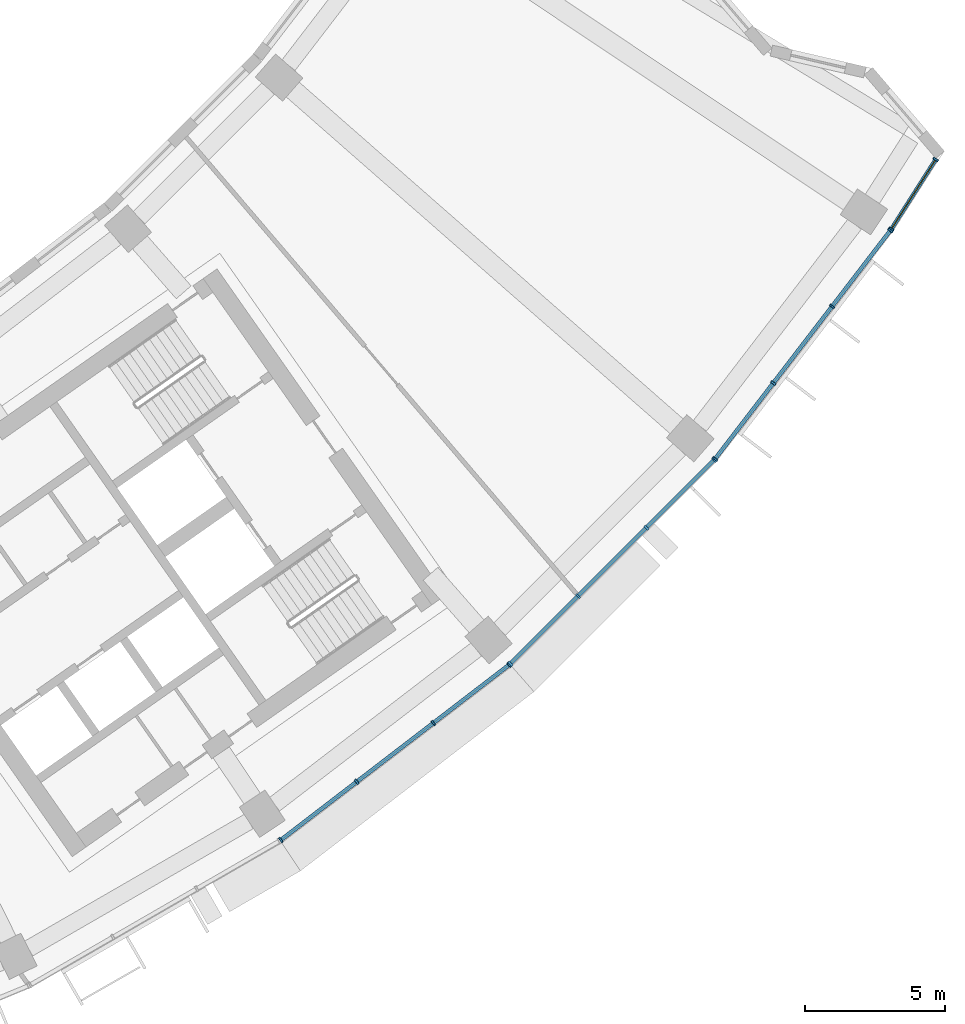
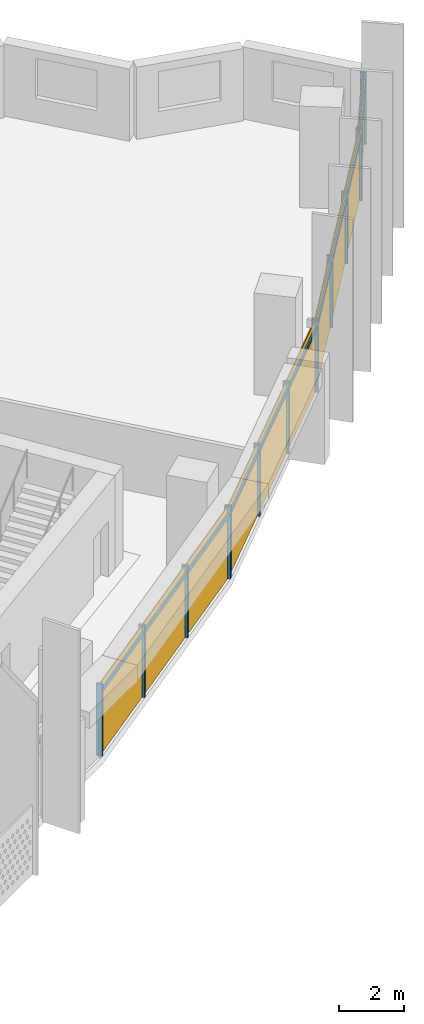
# One storey, part 22 of 27: 24 members, 4 curtain walls.
"""IFC4 building model written with IfcOpenShell, lengths in metres."""

from ifc_helpers import new_model, si_unit, direction, frame, origin, origin_2d, place, context, subcontext, project, spatial, rectangle, extrude, material, material_profile, profile_set, type_object, element, aggregate, save


model = new_model("IFC4")

# Units and contexts
model_context = context("Model", 3, precision=1e-05, world=origin(), true_north=direction((0.0, 1.0)))
body_context = subcontext(model_context, "Body", "Model", "MODEL_VIEW")
ifc_project = project(units=[si_unit("LENGTHUNIT", "METRE"), si_unit("AREAUNIT", "SQUARE_METRE"), si_unit("VOLUMEUNIT", "CUBIC_METRE"), si_unit("PLANEANGLEUNIT", "RADIAN"), si_unit("MASSUNIT", "GRAM", prefix="KILO")], contexts=[model_context])

# Member
ifc_material = material(Name="Aluminium 6063-T6 anodised", Category="aluminium")
ifc_material_profile_1 = material_profile(ifc_material, rectangle(XDim=0.199951171875, YDim=0.070068359375, at=origin_2d()))
ifc_profile_set_1 = profile_set([ifc_material_profile_1], Name="Aluminium 6063-T6 anodised")
member_type_1 = type_object("IfcMemberType", Name="Mullion 70 x 200 aluminium", PredefinedType="MULLION", material=ifc_profile_set_1)
site_placement = place(None, origin())
building_placement = place(site_placement, origin())
storey_placement = place(building_placement, frame((0.0, 0.0, 187.300048828125)))
member_1_placement = place(storey_placement, frame((43.85693359375, -65.58544921875, 0.0), z_axis=(0.0, 0.0, 1.0), x_axis=(-0.608761429009, 0.793353340291, 0.0)))
member_1 = element("IfcMember", 1, at=member_1_placement, type_object=member_type_1, Name="e-cw1-L44-out12/M00", PredefinedType="MULLION", context=body_context, shape_type="SweptSolid", body=[
    extrude(rectangle(XDim=0.199951171875, YDim=0.070068359375, at=origin_2d()), origin(), (0.0, 0.0, 1.0), 2.699951171875),
])

member_2_placement = place(storey_placement, frame((46.56201171875, -63.509765625, 0.0), z_axis=(0.0, 0.0, 1.0), x_axis=(-0.608761429009, 0.793353340291, 0.0)))
member_2 = element("IfcMember", 2, at=member_2_placement, type_object=member_type_1, Name="e-cw1-L44-out12/M01", PredefinedType="MULLION", context=body_context, shape_type="SweptSolid", body=[
    extrude(rectangle(XDim=0.199951171875, YDim=0.070068359375, at=origin_2d()), origin(), (0.0, 0.0, 1.0), 2.699951171875),
])

member_3_placement = place(storey_placement, frame((49.294677734375, -61.412841796875, 0.0), z_axis=(0.0, 0.0, 1.0), x_axis=(-0.608761429009, 0.793353340291, 0.0)))
member_3 = element("IfcMember", 3, at=member_3_placement, type_object=member_type_1, Name="e-cw1-L44-out12/M02", PredefinedType="MULLION", context=body_context, shape_type="SweptSolid", body=[
    extrude(rectangle(XDim=0.199951171875, YDim=0.070068359375, at=origin_2d()), origin(), (0.0, 0.0, 1.0), 2.699951171875),
])

member_4_placement = place(storey_placement, frame((51.999755859375, -59.33740234375, 0.0), z_axis=(0.0, 0.0, 1.0), x_axis=(-0.608761429009, 0.793353340291, 0.0)))
member_4 = element("IfcMember", 4, at=member_4_placement, type_object=member_type_1, Name="e-cw1-L44-out12/M03", PredefinedType="MULLION", context=body_context, shape_type="SweptSolid", body=[
    extrude(rectangle(XDim=0.199951171875, YDim=0.070068359375, at=origin_2d()), origin(), (0.0, 0.0, 1.0), 2.699951171875),
])

member_5_placement = place(storey_placement, frame((52.042236328125, -59.2998046875, 0.0), z_axis=(0.0, 0.0, 1.0), x_axis=(-0.707106781187, 0.707106781187, 0.0)))
member_5 = element("IfcMember", 5, at=member_5_placement, type_object=member_type_1, Name="e-cw1-L44-out13/M00", PredefinedType="MULLION", context=body_context, shape_type="SweptSolid", body=[
    extrude(rectangle(XDim=0.199951171875, YDim=0.070068359375, at=origin_2d()), origin(), (0.0, 0.0, 1.0), 2.699951171875),
])

member_6_placement = place(storey_placement, frame((54.453369140625, -56.888916015625, 0.0), z_axis=(0.0, 0.0, 1.0), x_axis=(-0.707106781187, 0.707106781187, 0.0)))
member_6 = element("IfcMember", 6, at=member_6_placement, type_object=member_type_1, Name="e-cw1-L44-out13/M01", PredefinedType="MULLION", context=body_context, shape_type="SweptSolid", body=[
    extrude(rectangle(XDim=0.199951171875, YDim=0.070068359375, at=origin_2d()), origin(), (0.0, 0.0, 1.0), 2.699951171875),
])

member_7_placement = place(storey_placement, frame((56.888916015625, -54.453369140625, 0.0), z_axis=(0.0, 0.0, 1.0), x_axis=(-0.707106781187, 0.707106781187, 0.0)))
member_7 = element("IfcMember", 7, at=member_7_placement, type_object=member_type_1, Name="e-cw1-L44-out13/M02", PredefinedType="MULLION", context=body_context, shape_type="SweptSolid", body=[
    extrude(rectangle(XDim=0.199951171875, YDim=0.070068359375, at=origin_2d()), origin(), (0.0, 0.0, 1.0), 2.699951171875),
])

member_8_placement = place(storey_placement, frame((59.2998046875, -52.042236328125, 0.0), z_axis=(0.0, 0.0, 1.0), x_axis=(-0.707106781187, 0.707106781187, 0.0)))
member_8 = element("IfcMember", 8, at=member_8_placement, type_object=member_type_1, Name="e-cw1-L44-out13/M03", PredefinedType="MULLION", context=body_context, shape_type="SweptSolid", body=[
    extrude(rectangle(XDim=0.199951171875, YDim=0.070068359375, at=origin_2d()), origin(), (0.0, 0.0, 1.0), 2.699951171875),
])

member_9_placement = place(storey_placement, frame((59.33740234375, -51.999755859375, 0.0), z_axis=(0.0, 0.0, 1.0), x_axis=(-0.793353340291, 0.608761429009, 0.0)))
member_9 = element("IfcMember", 9, at=member_9_placement, type_object=member_type_1, Name="e-cw1-L44-out14/M00", PredefinedType="MULLION", context=body_context, shape_type="SweptSolid", body=[
    extrude(rectangle(XDim=0.199951171875, YDim=0.070068359375, at=origin_2d()), origin(), (0.0, 0.0, 1.0), 2.699951171875),
])

member_10_placement = place(storey_placement, frame((61.412841796875, -49.294677734375, 0.0), z_axis=(0.0, 0.0, 1.0), x_axis=(-0.793353340291, 0.608761429009, 0.0)))
member_10 = element("IfcMember", 10, at=member_10_placement, type_object=member_type_1, Name="e-cw1-L44-out14/M01", PredefinedType="MULLION", context=body_context, shape_type="SweptSolid", body=[
    extrude(rectangle(XDim=0.199951171875, YDim=0.070068359375, at=origin_2d()), origin(), (0.0, 0.0, 1.0), 2.699951171875),
])

member_11_placement = place(storey_placement, frame((63.509765625, -46.56201171875, 0.0), z_axis=(0.0, 0.0, 1.0), x_axis=(-0.793353340291, 0.608761429009, 0.0)))
member_11 = element("IfcMember", 11, at=member_11_placement, type_object=member_type_1, Name="e-cw1-L44-out14/M02", PredefinedType="MULLION", context=body_context, shape_type="SweptSolid", body=[
    extrude(rectangle(XDim=0.199951171875, YDim=0.070068359375, at=origin_2d()), origin(), (0.0, 0.0, 1.0), 2.699951171875),
])

member_12_placement = place(storey_placement, frame((65.58544921875, -43.85693359375, 0.0), z_axis=(0.0, 0.0, 1.0), x_axis=(-0.793353340291, 0.608761429009, 0.0)))
member_12 = element("IfcMember", 12, at=member_12_placement, type_object=member_type_1, Name="e-cw1-L44-out14/M03", PredefinedType="MULLION", context=body_context, shape_type="SweptSolid", body=[
    extrude(rectangle(XDim=0.199951171875, YDim=0.070068359375, at=origin_2d()), origin(), (0.0, 0.0, 1.0), 2.699951171875),
])

member_13_placement = place(storey_placement, frame((65.62060546875, -43.806884765625, 0.0), z_axis=(0.0, 0.0, 1.0), x_axis=(-0.843222031834, 0.537565442555, 0.0)))
member_13 = element("IfcMember", 13, at=member_13_placement, type_object=member_type_1, Name="e-cw1-L44-out15/M00", PredefinedType="MULLION", context=body_context, shape_type="SweptSolid", body=[
    extrude(rectangle(XDim=0.199951171875, YDim=0.070068359375, at=origin_2d()), origin(), (0.0, 0.0, 1.0), 2.699951171875),
])

member_14_placement = place(storey_placement, frame((67.2021484375, -41.326171875, 0.0), z_axis=(0.0, 0.0, 1.0), x_axis=(-0.843222031834, 0.537565442555, 0.0)))
member_14 = element("IfcMember", 14, at=member_14_placement, type_object=member_type_1, Name="e-cw1-L44-out15/M01", PredefinedType="MULLION", context=body_context, shape_type="SweptSolid", body=[
    extrude(rectangle(XDim=0.199951171875, YDim=0.070068359375, at=origin_2d()), origin(), (0.0, 0.0, 1.0), 2.699951171875),
])

ifc_material_profile_2 = material_profile(ifc_material, rectangle(XDim=0.139892578125, YDim=0.1201171875, at=origin_2d()))
ifc_profile_set_2 = profile_set([ifc_material_profile_2], Name="Aluminium 6063-T6 anodised")
member_type_2 = type_object("IfcMemberType", Name="Transom 120 x 140 aluminium", PredefinedType="USERDEFINED", material=ifc_profile_set_2)
member_15_placement = place(storey_placement, frame((43.884765625, -65.564208984375, 2.39990234375), z_axis=(0.793354486861, 0.608759934767, 0.0), x_axis=(-0.608759934767, 0.793354486861, 0.0)))
member_15 = element("IfcMember", 15, at=member_15_placement, type_object=member_type_2, Name="e-cw1-L44-out12/T00", ObjectType="TRANSOM", PredefinedType="USERDEFINED", context=body_context, shape_type="SweptSolid", body=[
    extrude(rectangle(XDim=0.139892578125, YDim=0.1201171875, at=origin_2d()), origin(), (0.0, 0.0, 1.0), 3.339599609375),
])

member_16_placement = place(storey_placement, frame((46.589599609375, -63.488525390625, 2.39990234375), z_axis=(0.793371081522, 0.608738307489, 0.0), x_axis=(-0.608738307489, 0.793371081522, 0.0)))
member_16 = element("IfcMember", 16, at=member_16_placement, type_object=member_type_2, Name="e-cw1-L44-out12/T01", ObjectType="TRANSOM", PredefinedType="USERDEFINED", context=body_context, shape_type="SweptSolid", body=[
    extrude(rectangle(XDim=0.139892578125, YDim=0.1201171875, at=origin_2d()), origin(), (0.0, 0.0, 1.0), 3.37451171875),
])

member_17_placement = place(storey_placement, frame((49.322509765625, -61.3916015625, 2.39990234375), z_axis=(0.793354486861, 0.608759934767, 0.0), x_axis=(-0.608759934767, 0.793354486861, 0.0)))
member_17 = element("IfcMember", 17, at=member_17_placement, type_object=member_type_2, Name="e-cw1-L44-out12/T02", ObjectType="TRANSOM", PredefinedType="USERDEFINED", context=body_context, shape_type="SweptSolid", body=[
    extrude(rectangle(XDim=0.139892578125, YDim=0.1201171875, at=origin_2d()), origin(), (0.0, 0.0, 1.0), 3.339599609375),
])

member_18_placement = place(storey_placement, frame((52.067138671875, -59.275146484375, 2.39990234375), z_axis=(0.707106781187, 0.707106781187, 0.0), x_axis=(-0.707106781187, 0.707106781187, 0.0)))
member_18 = element("IfcMember", 18, at=member_18_placement, type_object=member_type_2, Name="e-cw1-L44-out13/T00", ObjectType="TRANSOM", PredefinedType="USERDEFINED", context=body_context, shape_type="SweptSolid", body=[
    extrude(rectangle(XDim=0.139892578125, YDim=0.1201171875, at=origin_2d()), origin(), (0.0, 0.0, 1.0), 3.33935546875),
])

member_19_placement = place(storey_placement, frame((54.47802734375, -56.8642578125, 2.39990234375), z_axis=(0.707106781187, 0.707106781187, 0.0), x_axis=(-0.707106781187, 0.707106781187, 0.0)))
member_19 = element("IfcMember", 19, at=member_19_placement, type_object=member_type_2, Name="e-cw1-L44-out13/T01", ObjectType="TRANSOM", PredefinedType="USERDEFINED", context=body_context, shape_type="SweptSolid", body=[
    extrude(rectangle(XDim=0.139892578125, YDim=0.1201171875, at=origin_2d()), origin(), (0.0, 0.0, 1.0), 3.374755859375),
])

member_20_placement = place(storey_placement, frame((56.913818359375, -54.428466796875, 2.39990234375), z_axis=(0.707106781187, 0.707106781187, 0.0), x_axis=(-0.707106781187, 0.707106781187, 0.0)))
member_20 = element("IfcMember", 20, at=member_20_placement, type_object=member_type_2, Name="e-cw1-L44-out13/T02", ObjectType="TRANSOM", PredefinedType="USERDEFINED", context=body_context, shape_type="SweptSolid", body=[
    extrude(rectangle(XDim=0.139892578125, YDim=0.1201171875, at=origin_2d()), origin(), (0.0, 0.0, 1.0), 3.33935546875),
])

member_21_placement = place(storey_placement, frame((59.358642578125, -51.971923828125, 2.39990234375), z_axis=(0.608759934767, 0.793354486861, 0.0), x_axis=(-0.793354486861, 0.608759934767, 0.0)))
member_21 = element("IfcMember", 21, at=member_21_placement, type_object=member_type_2, Name="e-cw1-L44-out14/T00", ObjectType="TRANSOM", PredefinedType="USERDEFINED", context=body_context, shape_type="SweptSolid", body=[
    extrude(rectangle(XDim=0.139892578125, YDim=0.1201171875, at=origin_2d()), origin(), (0.0, 0.0, 1.0), 3.339599609375),
])

member_22_placement = place(storey_placement, frame((61.434326171875, -49.266845703125, 2.39990234375), z_axis=(0.608738307489, 0.793371081522, 0.0), x_axis=(-0.793371081522, 0.608738307489, 0.0)))
member_22 = element("IfcMember", 22, at=member_22_placement, type_object=member_type_2, Name="e-cw1-L44-out14/T01", ObjectType="TRANSOM", PredefinedType="USERDEFINED", context=body_context, shape_type="SweptSolid", body=[
    extrude(rectangle(XDim=0.139892578125, YDim=0.1201171875, at=origin_2d()), origin(), (0.0, 0.0, 1.0), 3.37451171875),
])

member_23_placement = place(storey_placement, frame((63.53125, -46.5341796875, 2.39990234375), z_axis=(0.608759934767, 0.793354486861, 0.0), x_axis=(-0.793354486861, 0.608759934767, 0.0)))
member_23 = element("IfcMember", 23, at=member_23_placement, type_object=member_type_2, Name="e-cw1-L44-out14/T02", ObjectType="TRANSOM", PredefinedType="USERDEFINED", context=body_context, shape_type="SweptSolid", body=[
    extrude(rectangle(XDim=0.139892578125, YDim=0.1201171875, at=origin_2d()), origin(), (0.0, 0.0, 1.0), 3.339599609375),
])

member_24_placement = place(storey_placement, frame((65.639404296875, -43.77734375, 2.39990234375), z_axis=(0.537557338762, 0.843227198057, 0.0), x_axis=(-0.843227198057, 0.537557338762, 0.0)))
member_24 = element("IfcMember", 24, at=member_24_placement, type_object=member_type_2, Name="e-cw1-L44-out15/T00", ObjectType="TRANSOM", PredefinedType="USERDEFINED", context=body_context, shape_type="SweptSolid", body=[
    extrude(rectangle(XDim=0.139892578125, YDim=0.1201171875, at=origin_2d()), origin(), (0.0, 0.0, 1.0), 2.8720703125),
])

# Site, building, storey
site = spatial("IfcSite", under=ifc_project, at=site_placement, CompositionType="ELEMENT")
building = spatial("IfcBuilding", under=site, at=building_placement, Name="Qamariyya Broadcast Tower", CompositionType="ELEMENT")
storey = spatial("IfcBuildingStorey", under=building, at=storey_placement, Name="L44", CompositionType="ELEMENT", Elevation=187.300048828125)

# Curtain wall
curtain_wall_type = type_object("IfcCurtainWallType", Name="Unitised curtain wall, anodised aluminium", PredefinedType="NOTDEFINED", material=ifc_material)
curtain_wall_1_placement = place(storey_placement, origin())
curtain_wall_1 = element("IfcCurtainWall", 25, at=curtain_wall_1_placement, inside=storey, type_object=curtain_wall_type, Name="e-cw1-L44-out12", PredefinedType="NOTDEFINED", context=body_context, shape_type="SweptSolid", body=[
    extrude(rectangle(XDim=3.339599609375, YDim=0.031982421875, at=origin_2d()), frame((45.20947265625, -64.547607421875, 0.0), x_axis=(0.793351517557, 0.608763804434, 0.0)), (0.0, 0.0, 1.0), 2.340087890625),
    extrude(rectangle(XDim=3.339599609375, YDim=0.031982421875, at=origin_2d()), frame((45.20947265625, -64.547607421875, 2.4599609375), x_axis=(0.793351517557, 0.608763804434, 0.0)), (0.0, 0.0, 1.0), 0.239990234375),
    extrude(rectangle(XDim=3.37451171875, YDim=0.031982421875, at=origin_2d()), frame((47.92822265625, -62.46142578125, 0.0), x_axis=(0.793351517557, 0.608763804434, 0.0)), (0.0, 0.0, 1.0), 2.340087890625),
    extrude(rectangle(XDim=3.37451171875, YDim=0.031982421875, at=origin_2d()), frame((47.92822265625, -62.46142578125, 2.4599609375), x_axis=(0.793351517557, 0.608763804434, 0.0)), (0.0, 0.0, 1.0), 0.239990234375),
    extrude(rectangle(XDim=3.339599609375, YDim=0.031982421875, at=origin_2d()), frame((50.64697265625, -60.375, 0.0), x_axis=(0.793351517557, 0.608763804434, 0.0)), (0.0, 0.0, 1.0), 2.340087890625),
    extrude(rectangle(XDim=3.339599609375, YDim=0.031982421875, at=origin_2d()), frame((50.64697265625, -60.375, 2.4599609375), x_axis=(0.793351517557, 0.608763804434, 0.0)), (0.0, 0.0, 1.0), 0.239990234375),
])

aggregate(curtain_wall_1, [member_1, member_2, member_3, member_4, member_15, member_16, member_17])

curtain_wall_2_placement = place(storey_placement, origin())
curtain_wall_2 = element("IfcCurtainWall", 26, at=curtain_wall_2_placement, inside=storey, type_object=curtain_wall_type, Name="e-cw1-L44-out13", PredefinedType="NOTDEFINED", context=body_context, shape_type="SweptSolid", body=[
    extrude(rectangle(XDim=3.339599609375, YDim=0.031982421875, at=origin_2d()), frame((53.247802734375, -58.094482421875, 0.0), x_axis=(0.707106781187, 0.707106781187, 0.0)), (0.0, 0.0, 1.0), 2.340087890625),
    extrude(rectangle(XDim=3.339599609375, YDim=0.031982421875, at=origin_2d()), frame((53.247802734375, -58.094482421875, 2.4599609375), x_axis=(0.707106781187, 0.707106781187, 0.0)), (0.0, 0.0, 1.0), 0.239990234375),
    extrude(rectangle(XDim=3.37451171875, YDim=0.031982421875, at=origin_2d()), frame((55.671142578125, -55.671142578125, 0.0), x_axis=(0.707106781187, 0.707106781187, 0.0)), (0.0, 0.0, 1.0), 2.340087890625),
    extrude(rectangle(XDim=3.37451171875, YDim=0.031982421875, at=origin_2d()), frame((55.671142578125, -55.671142578125, 2.4599609375), x_axis=(0.707106781187, 0.707106781187, 0.0)), (0.0, 0.0, 1.0), 0.239990234375),
    extrude(rectangle(XDim=3.339599609375, YDim=0.031982421875, at=origin_2d()), frame((58.094482421875, -53.247802734375, 0.0), x_axis=(0.707106781187, 0.707106781187, 0.0)), (0.0, 0.0, 1.0), 2.340087890625),
    extrude(rectangle(XDim=3.339599609375, YDim=0.031982421875, at=origin_2d()), frame((58.094482421875, -53.247802734375, 2.4599609375), x_axis=(0.707106781187, 0.707106781187, 0.0)), (0.0, 0.0, 1.0), 0.239990234375),
])

aggregate(curtain_wall_2, [member_5, member_6, member_7, member_8, member_18, member_19, member_20])

curtain_wall_3_placement = place(storey_placement, origin())
curtain_wall_3 = element("IfcCurtainWall", 27, at=curtain_wall_3_placement, inside=storey, type_object=curtain_wall_type, Name="e-cw1-L44-out14", PredefinedType="NOTDEFINED", context=body_context, shape_type="SweptSolid", body=[
    extrude(rectangle(XDim=3.339599609375, YDim=0.031982421875, at=origin_2d()), frame((60.375, -50.64697265625, 0.0), x_axis=(0.608763804434, 0.793351517557, 0.0)), (0.0, 0.0, 1.0), 2.340087890625),
    extrude(rectangle(XDim=3.339599609375, YDim=0.031982421875, at=origin_2d()), frame((60.375, -50.64697265625, 2.4599609375), x_axis=(0.608763804434, 0.793351517557, 0.0)), (0.0, 0.0, 1.0), 0.239990234375),
    extrude(rectangle(XDim=3.37451171875, YDim=0.031982421875, at=origin_2d()), frame((62.46142578125, -47.92822265625, 0.0), x_axis=(0.608763804434, 0.793351517557, 0.0)), (0.0, 0.0, 1.0), 2.340087890625),
    extrude(rectangle(XDim=3.37451171875, YDim=0.031982421875, at=origin_2d()), frame((62.46142578125, -47.92822265625, 2.4599609375), x_axis=(0.608763804434, 0.793351517557, 0.0)), (0.0, 0.0, 1.0), 0.239990234375),
    extrude(rectangle(XDim=3.339599609375, YDim=0.031982421875, at=origin_2d()), frame((64.547607421875, -45.20947265625, 0.0), x_axis=(0.608763804434, 0.793351517557, 0.0)), (0.0, 0.0, 1.0), 2.340087890625),
    extrude(rectangle(XDim=3.339599609375, YDim=0.031982421875, at=origin_2d()), frame((64.547607421875, -45.20947265625, 2.4599609375), x_axis=(0.608763804434, 0.793351517557, 0.0)), (0.0, 0.0, 1.0), 0.239990234375),
])

aggregate(curtain_wall_3, [member_9, member_10, member_11, member_12, member_21, member_22, member_23])

curtain_wall_4_placement = place(storey_placement, origin())
curtain_wall_4 = element("IfcCurtainWall", 28, at=curtain_wall_4_placement, inside=storey, type_object=curtain_wall_type, Name="e-cw1-L44-out15", PredefinedType="NOTDEFINED", context=body_context, shape_type="SweptSolid", body=[
    extrude(rectangle(XDim=2.871826171875, YDim=0.031982421875, at=origin_2d()), frame((66.411376953125, -42.56640625, 0.0), x_axis=(0.537599125107, 0.843200557806, 0.0)), (0.0, 0.0, 1.0), 2.340087890625),
    extrude(rectangle(XDim=2.871826171875, YDim=0.031982421875, at=origin_2d()), frame((66.411376953125, -42.56640625, 2.4599609375), x_axis=(0.537599125107, 0.843200557806, 0.0)), (0.0, 0.0, 1.0), 0.239990234375),
])

aggregate(curtain_wall_4, [member_13, member_14, member_24])

save(model, "model.ifc")
